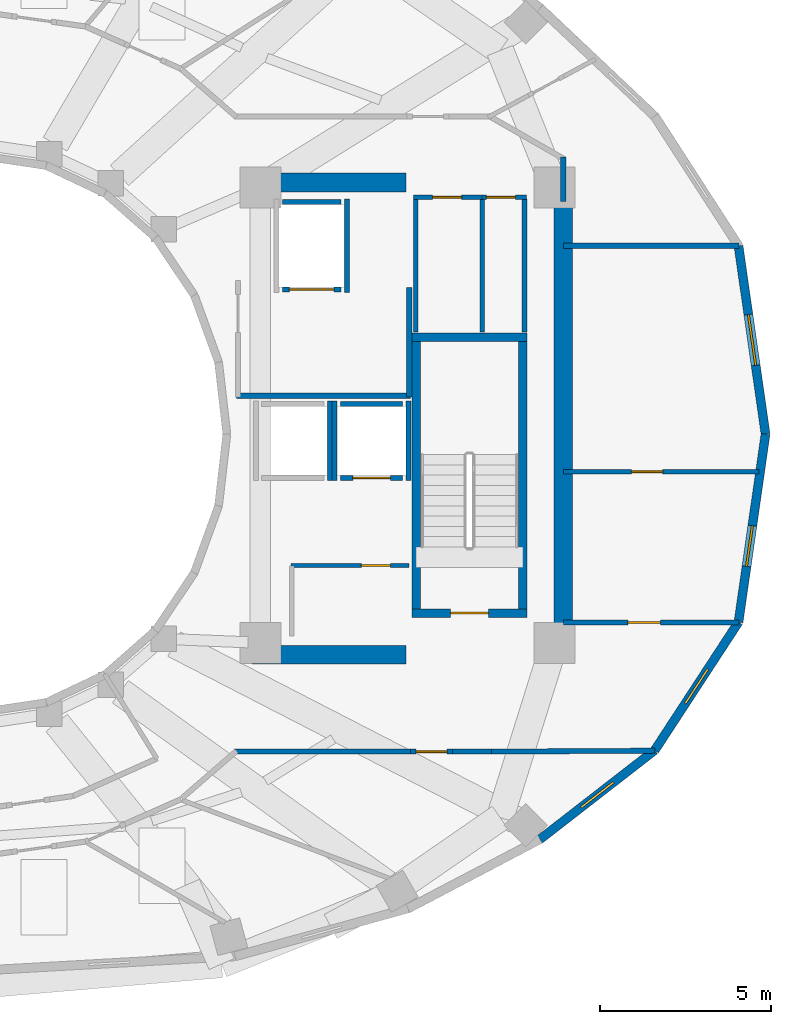
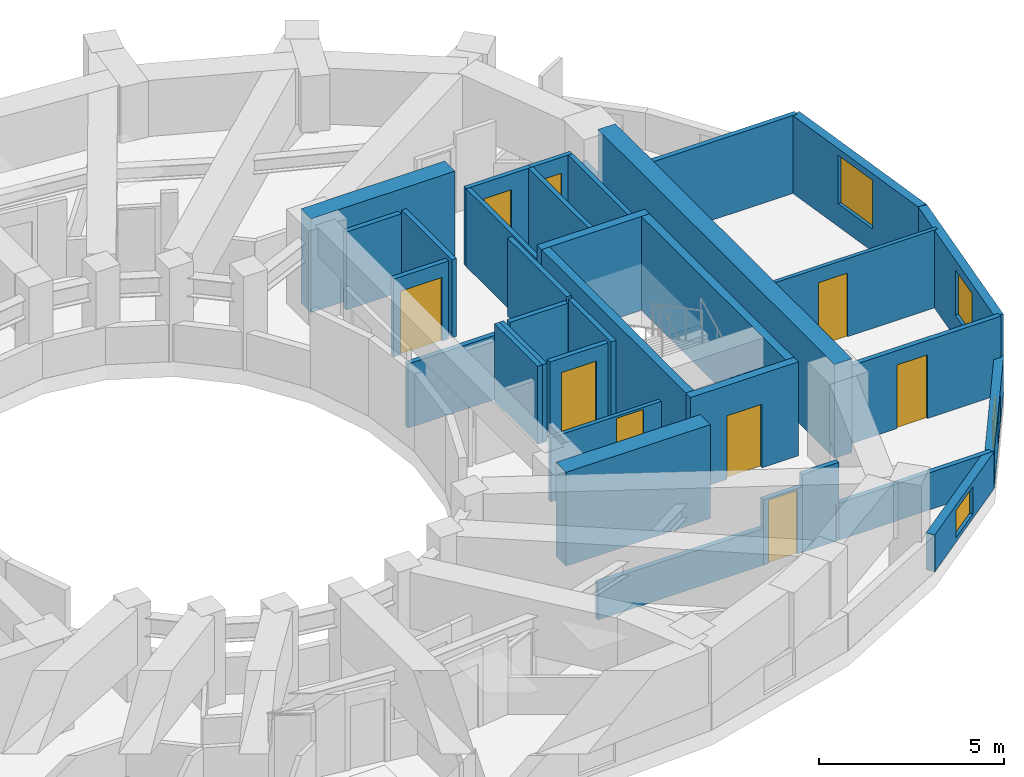
# One storey, part 6 of 9: 35 walls, 9 doors, 4 windows, 13 openings.
"""IFC4 building model written with IfcOpenShell, lengths in metres."""

from ifc_helpers import new_model, si_unit, direction, frame, frame_2d, origin, place, context, subcontext, project, spatial, rectangle, extrude, material, layer, layer_set, type_object, element, fill, save


model = new_model("IFC4")

# Units and contexts
model_context = context("Model", 3, precision=1e-05, world=origin(), true_north=direction((0.0, 1.0)))
body_context = subcontext(model_context, "Body", "Model", "MODEL_VIEW")
ifc_project = project(units=[si_unit("LENGTHUNIT", "METRE"), si_unit("AREAUNIT", "SQUARE_METRE"), si_unit("VOLUMEUNIT", "CUBIC_METRE"), si_unit("PLANEANGLEUNIT", "RADIAN"), si_unit("MASSUNIT", "GRAM", prefix="KILO")], contexts=[model_context])

# Site, building, storey
site_placement = place(None, origin())
site = spatial("IfcSite", under=ifc_project, at=site_placement, CompositionType="ELEMENT")
building_placement = place(site_placement, origin())
building = spatial("IfcBuilding", under=site, at=building_placement, Name="Solvane Sanctuary Tower", CompositionType="ELEMENT")
storey_placement = place(building_placement, frame((0.0, 0.0, 190.10009765625)))
storey = spatial("IfcBuildingStorey", under=building, at=storey_placement, Name="L58", CompositionType="ELEMENT", Elevation=190.10009765625)

# Walls
ifc_material_1 = material(Name="Concrete C50/60", Category="concrete")
ifc_layer_1 = layer(ifc_material_1, 0.550048828125, Name="Concrete C50/60")
ifc_layer_set_1 = layer_set([ifc_layer_1], Name="Concrete C50/60")
wall_type_1 = type_object("IfcWallType", Name="Wall W-CORE-550", PredefinedType="SHEAR", material=ifc_layer_set_1)
wall_1_placement = place(storey_placement, frame((48.949951171875, 17.050048828125, 0.0), z_axis=(0.0, 0.0, 1.0), x_axis=(0.0, 1.0, 0.0)))
element("IfcWall", 1, at=wall_1_placement, inside=storey, type_object=wall_type_1, Name="L58 Core Shear Wall EC-E", PredefinedType="SHEAR", context=body_context, shape_type="SweptSolid", body=[
    extrude(rectangle(XDim=12.800048828125, YDim=0.550048828125, at=frame_2d((6.39990234375, 0.0))), origin(), (0.0, 0.0, 1.0), 3.099853515625),
])
for number, where, z_axis, x_axis, name in (
    (2, (39.85009765625, 16.550048828125, 0.0), (0.0, 0.0, 1.0), (1.0, 0.0, 0.0), "L58 Core Shear Wall EC-S"),
    (3, (39.85009765625, 30.35009765625, 0.0), (0.0, 0.0, 1.0), (1.0, 0.0, 0.0), "L58 Core Shear Wall EC-N"),
):
    element("IfcWall", number, at=place(storey_placement, frame(where, z_axis=z_axis, x_axis=x_axis)), inside=storey, type_object=wall_type_1, Name=name, PredefinedType="SHEAR", context=body_context, shape_type="SweptSolid", body=[
        extrude(rectangle(XDim=4.5, YDim=0.550048828125, at=frame_2d((2.25, 0.0))), origin(), (0.0, 0.0, 1.0), 3.099853515625),
    ])
ifc_material_2 = material(Name="Acoustic Gypsum Partition Board")
ifc_layer_2 = layer(ifc_material_2, 0.14990234375, Name="Acoustic Gypsum Partition Board")
ifc_layer_set_2 = layer_set([ifc_layer_2], Name="Acoustic Gypsum Partition Board")
wall_type_2 = type_object("IfcWallType", Name="Wall W-CORR-150", PredefinedType="PARTITIONING", material=ifc_layer_set_2)
wall_2_placement = place(storey_placement, frame((39.39990234375, 24.1201171875, 0.0), z_axis=(0.0, 0.0, 1.0), x_axis=(1.0, 0.0, 0.0)))
element("IfcWall", 4, at=wall_2_placement, inside=storey, type_object=wall_type_2, Name="L58 East Firefighting Lobby South Wall", PredefinedType="PARTITIONING", context=body_context, shape_type="SweptSolid", body=[
    extrude(rectangle(XDim=5.080078125, YDim=0.14990234375, at=frame_2d((2.5400390625, 0.0))), origin(), (0.0, 0.0, 1.0), 2.119873046875),
])
wall_3_placement = place(storey_placement, frame((44.449951171875, 24.080078125, 0.0), z_axis=(0.0, 0.0, 1.0), x_axis=(0.0, 1.0, 0.0)))
element("IfcWall", 5, at=wall_3_placement, inside=storey, type_object=wall_type_2, Name="L58 East Firefighting Lobby East Wall", PredefinedType="PARTITIONING", context=body_context, shape_type="SweptSolid", body=[
    extrude(rectangle(XDim=3.199951171875, YDim=0.14990234375, at=frame_2d((1.60009765625, 0.0))), origin(), (0.0, 0.0, 1.0), 2.574951171875),
])

# Wall, opening, door
wall_4_placement = place(storey_placement, frame((48.949951171875, 17.4970703125, 0.0), z_axis=(0.0, 0.0, 1.0), x_axis=(1.0, 0.0, 0.0)))
wall_4 = element("IfcWall", 6, at=wall_4_placement, inside=storey, type_object=wall_type_2, Name="L58 East Shoulder South Wall", PredefinedType="PARTITIONING", context=body_context, shape_type="SweptSolid", body=[
    extrude(rectangle(XDim=5.14013671875, YDim=0.14990234375, at=frame_2d((2.570068359375, 0.0))), origin(), (0.0, 0.0, 1.0), 2.574951171875),
])
opening_1_placement = place(wall_4_placement, frame((1.888671875, 0.0, 0.0)))
opening_1 = element("IfcOpeningElement", 7, at=opening_1_placement, cuts=wall_4, Name="Opening D-L58-12", PredefinedType="OPENING", context=body_context, shape_type="SweptSolid", body=[
    extrude(rectangle(XDim=0.949951171875, YDim=2.10009765625, at=frame_2d((0.47509765625, 1.050048828125))), frame((0.0, 0.0849609375, 0.0), z_axis=(0.0, -1.0, 0.0), x_axis=(1.0, 0.0, 0.0)), (0.0, 0.0, 1.0), 0.169921875),
])
ifc_material_3 = material(Name="Engineered Tropical Hardwood", Category="wood")
door_type_1 = type_object("IfcDoorType", Name="Door D-ROOM-950", OperationType="NOTDEFINED", PredefinedType="DOOR", material=ifc_material_3)
door_1_placement = place(opening_1_placement, origin())
door_1 = element("IfcDoor", 8, at=door_1_placement, inside=storey, type_object=door_type_1, Name="L58 East Shoulder South Door", OperationType="SINGLE_SWING_LEFT", OverallHeight=2.10009765625, OverallWidth=0.949951171875, PredefinedType="DOOR", context=body_context, shape_type="SweptSolid", body=[
    extrude(rectangle(XDim=0.949951171875, YDim=2.10009765625, at=frame_2d((0.47509765625, 1.050048828125))), frame((0.0, 0.02490234375, 0.0), z_axis=(0.0, -1.0, 0.0), x_axis=(1.0, 0.0, 0.0)), (0.0, 0.0, 1.0), 0.050048828125),
])
fill(opening_1, door_1)

# Walls
wall_5_placement = place(storey_placement, frame((48.949951171875, 28.5029296875, 0.0), z_axis=(0.0, 0.0, 1.0), x_axis=(1.0, 0.0, 0.0)))
element("IfcWall", 9, at=wall_5_placement, inside=storey, type_object=wall_type_2, Name="L58 East Shoulder North Wall", PredefinedType="PARTITIONING", context=body_context, shape_type="SweptSolid", body=[
    extrude(rectangle(XDim=5.14013671875, YDim=0.14990234375, at=frame_2d((2.570068359375, 0.0))), origin(), (0.0, 0.0, 1.0), 2.574951171875),
])
wall_6_placement = place(storey_placement, frame((48.949951171875, 29.800048828125, 0.0), z_axis=(0.0, 0.0, 1.0), x_axis=(0.0, 1.0, 0.0)))
element("IfcWall", 10, at=wall_6_placement, inside=storey, type_object=wall_type_2, Name="L58 NE Corner Closer 1", PredefinedType="PARTITIONING", context=body_context, shape_type="SweptSolid", body=[
    extrude(rectangle(XDim=1.2900390625, YDim=0.14990234375, at=frame_2d((0.64501953125, 0.0))), origin(), (0.0, 0.0, 1.0), 1.219970703125),
])
wall_7_placement = place(storey_placement, frame((39.330078125, 13.719970703125, 0.0), z_axis=(0.0, 0.0, 1.0), x_axis=(1.0, 0.0, 0.0)))
element("IfcWall", 11, at=wall_7_placement, inside=storey, type_object=wall_type_2, Name="L58 SE Corner Corridor Wall", PredefinedType="PARTITIONING", context=body_context, shape_type="SweptSolid", body=[
    extrude(rectangle(XDim=5.158447265625, YDim=0.14990234375, at=frame_2d((2.5791015625, 0.0))), origin(), (0.0, 0.0, 1.0), 1.219970703125),
])

# Wall, opening, door
wall_8_placement = place(storey_placement, frame((44.488525390625, 13.719970703125, 0.0), z_axis=(0.0, 0.0, 1.0), x_axis=(1.0, 0.0, 0.0)))
wall_8 = element("IfcWall", 12, at=wall_8_placement, inside=storey, type_object=wall_type_2, Name="L58 SE Corner Corridor Wall", PredefinedType="PARTITIONING", context=body_context, shape_type="SweptSolid", body=[
    extrude(rectangle(XDim=1.219970703125, YDim=0.14990234375, at=frame_2d((0.60986328125, 0.0))), origin(), (0.0, 0.0, 1.0), 2.159912109375),
])
opening_2_placement = place(wall_8_placement, frame((0.159912109375, 0.0, 0.0)))
opening_2 = element("IfcOpeningElement", 13, at=opening_2_placement, cuts=wall_8, Name="Opening D-L58-21", PredefinedType="OPENING", context=body_context, shape_type="SweptSolid", body=[
    extrude(rectangle(XDim=0.89990234375, YDim=2.10009765625, at=frame_2d((0.449951171875, 1.050048828125))), frame((0.0, 0.0849609375, 0.0), z_axis=(0.0, -1.0, 0.0), x_axis=(1.0, 0.0, 0.0)), (0.0, 0.0, 1.0), 0.169921875),
])
door_type_2 = type_object("IfcDoorType", Name="Door D-WET-900", OperationType="NOTDEFINED", PredefinedType="DOOR", material=ifc_material_3)
door_2_placement = place(opening_2_placement, origin())
door_2 = element("IfcDoor", 14, at=door_2_placement, inside=storey, type_object=door_type_2, Name="L58 SE Corner Salon Door", OperationType="SINGLE_SWING_RIGHT", OverallHeight=2.10009765625, OverallWidth=0.89990234375, PredefinedType="DOOR", context=body_context, shape_type="SweptSolid", body=[
    extrude(rectangle(XDim=0.89990234375, YDim=2.10009765625, at=frame_2d((0.449951171875, 1.050048828125))), frame((0.0, 0.02490234375, 0.0), z_axis=(0.0, -1.0, 0.0), x_axis=(1.0, 0.0, 0.0)), (0.0, 0.0, 1.0), 0.050048828125),
])
fill(opening_2, door_2)

# Walls
wall_9_placement = place(storey_placement, frame((45.70849609375, 13.719970703125, 0.0), z_axis=(0.0, 0.0, 1.0), x_axis=(1.0, 0.0, 0.0)))
element("IfcWall", 15, at=wall_9_placement, inside=storey, type_object=wall_type_2, Name="L58 SE Corner Corridor Wall", PredefinedType="PARTITIONING", context=body_context, shape_type="SweptSolid", body=[
    extrude(rectangle(XDim=1.1416015625, YDim=0.14990234375, at=frame_2d((0.57080078125, 0.0))), origin(), (0.0, 0.0, 1.0), 2.574951171875),
])
wall_10_placement = place(storey_placement, frame((46.75, 13.7197265625, 0.0), z_axis=(0.0, 0.0, 1.0), x_axis=(0.999981712056, 0.006047772638, 0.0)))
element("IfcWall", 16, at=wall_10_placement, inside=storey, type_object=wall_type_2, Name="L58 SE Corner Wing Wall", PredefinedType="PARTITIONING", context=body_context, shape_type="SweptSolid", body=[
    extrude(rectangle(XDim=4.884521484375, YDim=0.14990234375, at=frame_2d((2.4423828125, 0.0))), origin(), (0.0, 0.0, 1.0), 1.219970703125),
])

# Wall, opening, window
ifc_material_4 = material(Name="Precast concrete C40/50", Category="concrete")
ifc_layer_3 = layer(ifc_material_4, 0.260009765625, Name="Precast concrete C40/50")
ifc_layer_set_3 = layer_set([ifc_layer_3], Name="Precast concrete C40/50")
wall_type_3 = type_object("IfcWallType", Name="Wall W-EXT-250", PredefinedType="STANDARD", material=ifc_layer_set_3)
wall_11_placement = place(storey_placement, frame((54.860107421875, 23.0, 0.0), z_axis=(0.0, 0.0, 1.0), x_axis=(-0.142227632286, 0.989833976288, 0.0)))
wall_11 = element("IfcWall", 17, at=wall_11_placement, inside=storey, type_object=wall_type_3, Name="L58 Ceramic-Printed Facade Wall 00", PredefinedType="STANDARD", context=body_context, shape_type="SweptSolid", body=[
    extrude(rectangle(XDim=5.552978515625, YDim=0.260009765625, at=frame_2d((2.7763671875, 0.0))), origin(), (0.0, 0.0, 1.0), 2.56982421875),
])
opening_3_placement = place(wall_11_placement, frame((2.026611328125, 0.0, 0.75)))
opening_3 = element("IfcOpeningElement", 18, at=opening_3_placement, cuts=wall_11, Name="Opening WN-OPER-1500", PredefinedType="OPENING", context=body_context, shape_type="SweptSolid", body=[
    extrude(rectangle(XDim=1.5, YDim=1.60009765625, at=frame_2d((0.75, 0.800048828125))), frame((0.0, 0.139892578125, 0.0), z_axis=(0.0, -1.0, 0.0), x_axis=(1.0, 0.0, 0.0)), (0.0, 0.0, 1.0), 0.280029296875),
])
ifc_material_5 = material(Name="Dark Ceramic-Fritted Low-E Glass", Category="glass")
window_type_1 = type_object("IfcWindowType", Name="Window WN-OPER-1500", PartitioningType="SINGLE_PANEL", PredefinedType="WINDOW", material=ifc_material_5)
window_1_placement = place(opening_3_placement, origin())
window_1 = element("IfcWindow", 19, at=window_1_placement, inside=storey, type_object=window_type_1, Name="L58 Operable Facade Window 00", OverallHeight=1.60009765625, OverallWidth=1.5, PartitioningType="SINGLE_PANEL", PredefinedType="WINDOW", context=body_context, shape_type="SweptSolid", body=[
    extrude(rectangle(XDim=1.5, YDim=1.60009765625, at=frame_2d((0.75, 0.800048828125))), frame((0.0, 0.030029296875, 0.0), z_axis=(0.0, -1.0, 0.0), x_axis=(1.0, 0.0, 0.0)), (0.0, 0.0, 1.0), 0.06005859375),
])
fill(opening_3, window_1)

wall_12_placement = place(storey_placement, frame((48.269287109375, 11.158447265625, 0.0), z_axis=(0.0, 0.0, 1.0), x_axis=(0.790185650662, 0.612867552973, 0.0)))
wall_12 = element("IfcWall", 20, at=wall_12_placement, inside=storey, type_object=wall_type_3, Name="L58 Ceramic-Printed Facade Wall 21", PredefinedType="STANDARD", context=body_context, shape_type="SweptSolid", body=[
    extrude(rectangle(XDim=4.2392578125, YDim=0.260009765625, at=frame_2d((2.11962890625, 0.0))), origin(), (0.0, 0.0, 1.0), 1.219970703125),
])
opening_4_placement = place(wall_12_placement, frame((1.51953125, 0.0, 0.14990234375)))
opening_4 = element("IfcOpeningElement", 21, at=opening_4_placement, cuts=wall_12, Name="Opening WN-OPER-1200", PredefinedType="OPENING", context=body_context, shape_type="SweptSolid", body=[
    extrude(rectangle(XDim=1.199951171875, YDim=0.89990234375, at=frame_2d((0.60009765625, 0.449951171875))), frame((0.0, 0.139892578125, 0.0), z_axis=(0.0, -1.0, 0.0), x_axis=(1.0, 0.0, 0.0)), (0.0, 0.0, 1.0), 0.280029296875),
])
window_type_2 = type_object("IfcWindowType", Name="Window WN-OPER-1200", PartitioningType="SINGLE_PANEL", PredefinedType="WINDOW", material=ifc_material_5)
window_2_placement = place(opening_4_placement, origin())
window_2 = element("IfcWindow", 22, at=window_2_placement, inside=storey, type_object=window_type_2, Name="L58 Operable Facade Window 21", OverallHeight=0.89990234375, OverallWidth=1.199951171875, PartitioningType="SINGLE_PANEL", PredefinedType="WINDOW", context=body_context, shape_type="SweptSolid", body=[
    extrude(rectangle(XDim=1.199951171875, YDim=0.89990234375, at=frame_2d((0.60009765625, 0.449951171875))), frame((0.0, 0.030029296875, 0.0), z_axis=(0.0, -1.0, 0.0), x_axis=(1.0, 0.0, 0.0)), (0.0, 0.0, 1.0), 0.06005859375),
])
fill(opening_4, window_2)

wall_13_placement = place(storey_placement, frame((51.619140625, 13.756591796875, 0.0), z_axis=(0.0, 0.0, 1.0), x_axis=(0.547456494366, 0.836834145322, 0.0)))
wall_13 = element("IfcWall", 23, at=wall_13_placement, inside=storey, type_object=wall_type_3, Name="L58 Ceramic-Printed Facade Wall 22", PredefinedType="STANDARD", context=body_context, shape_type="SweptSolid", body=[
    extrude(rectangle(XDim=4.477294921875, YDim=0.260009765625, at=frame_2d((2.23876953125, 0.0))), origin(), (0.0, 0.0, 1.0), 1.219970703125),
])
opening_5_placement = place(wall_13_placement, frame((1.638671875, 0.0, 0.14990234375)))
opening_5 = element("IfcOpeningElement", 24, at=opening_5_placement, cuts=wall_13, Name="Opening WN-OPER-1200", PredefinedType="OPENING", context=body_context, shape_type="SweptSolid", body=[
    extrude(rectangle(XDim=1.199951171875, YDim=0.89990234375, at=frame_2d((0.60009765625, 0.449951171875))), frame((0.0, 0.139892578125, 0.0), z_axis=(0.0, -1.0, 0.0), x_axis=(1.0, 0.0, 0.0)), (0.0, 0.0, 1.0), 0.280029296875),
])
window_3_placement = place(opening_5_placement, origin())
window_3 = element("IfcWindow", 25, at=window_3_placement, inside=storey, type_object=window_type_2, Name="L58 Operable Facade Window 22", OverallHeight=0.89990234375, OverallWidth=1.199951171875, PartitioningType="SINGLE_PANEL", PredefinedType="WINDOW", context=body_context, shape_type="SweptSolid", body=[
    extrude(rectangle(XDim=1.199951171875, YDim=0.89990234375, at=frame_2d((0.60009765625, 0.449951171875))), frame((0.0, 0.030029296875, 0.0), z_axis=(0.0, -1.0, 0.0), x_axis=(1.0, 0.0, 0.0)), (0.0, 0.0, 1.0), 0.06005859375),
])
fill(opening_5, window_3)

wall_14_placement = place(storey_placement, frame((54.0703125, 17.50341796875, 0.0), z_axis=(0.0, 0.0, 1.0), x_axis=(0.142227632286, 0.989833976288, 0.0)))
wall_14 = element("IfcWall", 26, at=wall_14_placement, inside=storey, type_object=wall_type_3, Name="L58 Ceramic-Printed Facade Wall 23", PredefinedType="STANDARD", context=body_context, shape_type="SweptSolid", body=[
    extrude(rectangle(XDim=5.552978515625, YDim=0.260009765625, at=frame_2d((2.7763671875, 0.0))), origin(), (0.0, 0.0, 1.0), 2.56982421875),
])
opening_6_placement = place(wall_14_placement, frame((1.645751953125, 0.0, 0.75)))
opening_6 = element("IfcOpeningElement", 27, at=opening_6_placement, cuts=wall_14, Name="Opening WN-OPER-1200", PredefinedType="OPENING", context=body_context, shape_type="SweptSolid", body=[
    extrude(rectangle(XDim=1.199951171875, YDim=1.5, at=frame_2d((0.60009765625, 0.75))), frame((0.0, 0.139892578125, 0.0), z_axis=(0.0, -1.0, 0.0), x_axis=(1.0, 0.0, 0.0)), (0.0, 0.0, 1.0), 0.280029296875),
])
window_4_placement = place(opening_6_placement, origin())
window_4 = element("IfcWindow", 28, at=window_4_placement, inside=storey, type_object=window_type_2, Name="L58 Operable Facade Window 23", OverallHeight=1.5, OverallWidth=1.199951171875, PartitioningType="SINGLE_PANEL", PredefinedType="WINDOW", context=body_context, shape_type="SweptSolid", body=[
    extrude(rectangle(XDim=1.199951171875, YDim=1.5, at=frame_2d((0.60009765625, 0.75))), frame((0.0, 0.030029296875, 0.0), z_axis=(0.0, -1.0, 0.0), x_axis=(1.0, 0.0, 0.0)), (0.0, 0.0, 1.0), 0.06005859375),
])
fill(opening_6, window_4)

# Wall, opening, door
ifc_layer_4 = layer(ifc_material_2, 0.1201171875, Name="Acoustic Gypsum Partition Board")
ifc_layer_set_4 = layer_set([ifc_layer_4], Name="Acoustic Gypsum Partition Board")
wall_type_4 = type_object("IfcWallType", Name="Wall W-MOV-100", PredefinedType="MOVABLE", material=ifc_layer_set_4)
wall_15_placement = place(storey_placement, frame((48.949951171875, 21.89990234375, 0.0), z_axis=(0.0, 0.0, 1.0), x_axis=(1.0, 0.0, 0.0)))
wall_15 = element("IfcWall", 29, at=wall_15_placement, inside=storey, type_object=wall_type_4, Name="L58 East Suite Partition", PredefinedType="MOVABLE", context=body_context, shape_type="SweptSolid", body=[
    extrude(rectangle(XDim=5.712158203125, YDim=0.1201171875, at=frame_2d((2.85595703125, 0.0))), origin(), (0.0, 0.0, 1.0), 2.574951171875),
])
opening_7_placement = place(wall_15_placement, frame((2.0, 0.0, 0.0)))
opening_7 = element("IfcOpeningElement", 30, at=opening_7_placement, cuts=wall_15, Name="Opening D-L58-13", PredefinedType="OPENING", context=body_context, shape_type="SweptSolid", body=[
    extrude(rectangle(XDim=0.89990234375, YDim=2.10009765625, at=frame_2d((0.449951171875, 1.050048828125))), frame((0.0, 0.070068359375, 0.0), z_axis=(0.0, -1.0, 0.0), x_axis=(1.0, 0.0, 0.0)), (0.0, 0.0, 1.0), 0.14013671875),
])
door_3_placement = place(opening_7_placement, origin())
door_3 = element("IfcDoor", 31, at=door_3_placement, inside=storey, type_object=door_type_2, Name="L58 East Suite Internal Door", OperationType="SINGLE_SWING_RIGHT", OverallHeight=2.10009765625, OverallWidth=0.89990234375, PredefinedType="DOOR", context=body_context, shape_type="SweptSolid", body=[
    extrude(rectangle(XDim=0.89990234375, YDim=2.10009765625, at=frame_2d((0.449951171875, 1.050048828125))), frame((0.0, 0.02490234375, 0.0), z_axis=(0.0, -1.0, 0.0), x_axis=(1.0, 0.0, 0.0)), (0.0, 0.0, 1.0), 0.050048828125),
])
fill(opening_7, door_3)

ifc_layer_5 = layer(ifc_material_2, 0.125, Name="Acoustic Gypsum Partition Board")
ifc_layer_set_5 = layer_set([ifc_layer_5], Name="Acoustic Gypsum Partition Board")
wall_type_5 = type_object("IfcWallType", Name="Wall W-PART-125", PredefinedType="PARTITIONING", material=ifc_layer_set_5)
wall_16_placement = place(storey_placement, frame((41.0, 19.159912109375, 0.0), z_axis=(0.0, 0.0, 1.0), x_axis=(1.0, 0.0, 0.0)))
wall_16 = element("IfcWall", 32, at=wall_16_placement, inside=storey, type_object=wall_type_5, Name="L58 Reclaimed Room Partition PLE", PredefinedType="PARTITIONING", context=body_context, shape_type="SweptSolid", body=[
    extrude(rectangle(XDim=3.449951171875, YDim=0.125, at=frame_2d((1.72509765625, 0.0))), origin(), (0.0, 0.0, 1.0), 2.119873046875),
])
opening_8_placement = place(wall_16_placement, frame((2.050048828125, 0.0, 0.0)))
opening_8 = element("IfcOpeningElement", 33, at=opening_8_placement, cuts=wall_16, Name="Opening D-L58-07", PredefinedType="OPENING", context=body_context, shape_type="SweptSolid", body=[
    extrude(rectangle(XDim=0.85009765625, YDim=2.050048828125, at=frame_2d((0.425048828125, 1.02490234375))), frame((0.0, 0.072509765625, 0.0), z_axis=(0.0, -1.0, 0.0), x_axis=(1.0, 0.0, 0.0)), (0.0, 0.0, 1.0), 0.14501953125),
])
ifc_material_6 = material(Name="Architectural Stainless Steel 316", Category="steel")
door_type_3 = type_object("IfcDoorType", Name="Door D-RISER", OperationType="NOTDEFINED", PredefinedType="DOOR", material=ifc_material_6)
door_4_placement = place(opening_8_placement, origin())
door_4 = element("IfcDoor", 34, at=door_4_placement, inside=storey, type_object=door_type_3, Name="L58 Reclaimed Room Door PLE-1", OperationType="SINGLE_SWING_RIGHT", OverallHeight=2.050048828125, OverallWidth=0.85009765625, PredefinedType="DOOR", context=body_context, shape_type="SweptSolid", body=[
    extrude(rectangle(XDim=0.85009765625, YDim=2.050048828125, at=frame_2d((0.425048828125, 1.02490234375))), frame((0.0, 0.02490234375, 0.0), z_axis=(0.0, -1.0, 0.0), x_axis=(1.0, 0.0, 0.0)), (0.0, 0.0, 1.0), 0.050048828125),
])
fill(opening_8, door_4)

ifc_layer_6 = layer(ifc_material_1, 0.14990234375, Name="Concrete C50/60")
ifc_layer_set_6 = layer_set([ifc_layer_6], Name="Concrete C50/60")
wall_type_6 = type_object("IfcWallType", Name="Wall W-SHAFT-150", PredefinedType="SOLIDWALL", material=ifc_layer_set_6)
wall_17_placement = place(storey_placement, frame((42.43994140625, 21.719970703125, 0.0), z_axis=(0.0, 0.0, 1.0), x_axis=(1.0, 0.0, 0.0)))
wall_17 = element("IfcWall", 35, at=wall_17_placement, inside=storey, type_object=wall_type_6, Name="L58 PM-2 Lift Shaft Wall F", PredefinedType="SOLIDWALL", context=body_context, shape_type="SweptSolid", body=[
    extrude(rectangle(XDim=1.820068359375, YDim=0.14990234375, at=frame_2d((0.91015625, 0.0))), origin(), (0.0, 0.0, 1.0), 2.574951171875),
])
opening_9_placement = place(wall_17_placement, frame((0.360107421875, 0.0, 0.0)))
opening_9 = element("IfcOpeningElement", 36, at=opening_9_placement, cuts=wall_17, Name="Opening LD-L58-02", PredefinedType="OPENING", context=body_context, shape_type="SweptSolid", body=[
    extrude(rectangle(XDim=1.10009765625, YDim=2.10009765625, at=frame_2d((0.550048828125, 1.050048828125))), frame((0.0, 0.0849609375, 0.0), z_axis=(0.0, -1.0, 0.0), x_axis=(1.0, 0.0, 0.0)), (0.0, 0.0, 1.0), 0.169921875),
])
door_type_4 = type_object("IfcDoorType", Name="Door LD-PASS-1100", OperationType="NOTDEFINED", PredefinedType="DOOR", material=ifc_material_6)
door_5_placement = place(opening_9_placement, origin())
door_5 = element("IfcDoor", 37, at=door_5_placement, inside=storey, type_object=door_type_4, Name="L58 PM-2 Lift Landing Door", OperationType="DOUBLE_DOOR_SLIDING", OverallHeight=2.10009765625, OverallWidth=1.10009765625, PredefinedType="DOOR", context=body_context, shape_type="SweptSolid", body=[
    extrude(rectangle(XDim=1.10009765625, YDim=2.10009765625, at=frame_2d((0.550048828125, 1.050048828125))), frame((0.0, 0.02490234375, 0.0), z_axis=(0.0, -1.0, 0.0), x_axis=(1.0, 0.0, 0.0)), (0.0, 0.0, 1.0), 0.050048828125),
])
fill(opening_9, door_5)

# Walls
wall_18_placement = place(storey_placement, frame((42.43994140625, 23.8798828125, 0.0), z_axis=(0.0, 0.0, 1.0), x_axis=(1.0, 0.0, 0.0)))
element("IfcWall", 38, at=wall_18_placement, inside=storey, type_object=wall_type_6, Name="L58 PM-2 Lift Shaft Wall B", PredefinedType="SOLIDWALL", context=body_context, shape_type="SweptSolid", body=[
    extrude(rectangle(XDim=1.820068359375, YDim=0.14990234375, at=frame_2d((0.91015625, 0.0))), origin(), (0.0, 0.0, 1.0), 2.574951171875),
])
for number, where, z_axis, x_axis, name in (
    (39, (42.27001953125, 21.639892578125, 0.0), (0.0, 0.0, 1.0), (0.0, 1.0, 0.0), "L58 PM-2 Lift Shaft Wall S1"),
    (40, (44.429931640625, 21.639892578125, 0.0), (0.0, 0.0, 1.0), (0.0, 1.0, 0.0), "L58 PM-2 Lift Shaft Wall S2"),
    (41, (42.1298828125, 21.639892578125, 0.0), (0.0, 0.0, 1.0), (0.0, 1.0, 0.0), "L58 PH-2 Lift Shaft Wall S2"),
):
    element("IfcWall", number, at=place(storey_placement, frame(where, z_axis=z_axis, x_axis=x_axis)), inside=storey, type_object=wall_type_6, Name=name, PredefinedType="SOLIDWALL", context=body_context, shape_type="SweptSolid", body=[
        extrude(rectangle(XDim=2.320068359375, YDim=0.14990234375, at=frame_2d((1.16015625, 0.0))), origin(), (0.0, 0.0, 1.0), 2.574951171875),
    ])

# Wall, opening, door
wall_19_placement = place(storey_placement, frame((40.739990234375, 27.219970703125, 0.0), z_axis=(0.0, 0.0, 1.0), x_axis=(1.0, 0.0, 0.0)))
wall_19 = element("IfcWall", 42, at=wall_19_placement, inside=storey, type_object=wall_type_6, Name="L58 FFL-2 Lift Shaft Wall F", PredefinedType="SOLIDWALL", context=body_context, shape_type="SweptSolid", body=[
    extrude(rectangle(XDim=1.719970703125, YDim=0.14990234375, at=frame_2d((0.85986328125, 0.0))), origin(), (0.0, 0.0, 1.0), 2.574951171875),
])
opening_10_placement = place(wall_19_placement, frame((0.2099609375, 0.0, 0.0)))
opening_10 = element("IfcOpeningElement", 43, at=opening_10_placement, cuts=wall_19, Name="Opening LD-L58-05", PredefinedType="OPENING", context=body_context, shape_type="SweptSolid", body=[
    extrude(rectangle(XDim=1.300048828125, YDim=2.10009765625, at=frame_2d((0.64990234375, 1.050048828125))), frame((0.0, 0.0849609375, 0.0), z_axis=(0.0, -1.0, 0.0), x_axis=(1.0, 0.0, 0.0)), (0.0, 0.0, 1.0), 0.169921875),
])
door_type_5 = type_object("IfcDoorType", Name="Door LD-FFL-1300", OperationType="NOTDEFINED", PredefinedType="DOOR", material=ifc_material_6)
door_6_placement = place(opening_10_placement, origin())
door_6 = element("IfcDoor", 44, at=door_6_placement, inside=storey, type_object=door_type_5, Name="L58 FFL-2 Lift Landing Door", OperationType="DOUBLE_DOOR_SLIDING", OverallHeight=2.10009765625, OverallWidth=1.300048828125, PredefinedType="DOOR", context=body_context, shape_type="SweptSolid", body=[
    extrude(rectangle(XDim=1.300048828125, YDim=2.10009765625, at=frame_2d((0.64990234375, 1.050048828125))), frame((0.0, 0.02490234375, 0.0), z_axis=(0.0, -1.0, 0.0), x_axis=(1.0, 0.0, 0.0)), (0.0, 0.0, 1.0), 0.050048828125),
])
fill(opening_10, door_6)

# Walls
wall_20_placement = place(storey_placement, frame((40.739990234375, 29.780029296875, 0.0), z_axis=(0.0, 0.0, 1.0), x_axis=(1.0, 0.0, 0.0)))
element("IfcWall", 45, at=wall_20_placement, inside=storey, type_object=wall_type_6, Name="L58 FFL-2 Lift Shaft Wall B", PredefinedType="SOLIDWALL", context=body_context, shape_type="SweptSolid", body=[
    extrude(rectangle(XDim=1.719970703125, YDim=0.14990234375, at=frame_2d((0.85986328125, 0.0))), origin(), (0.0, 0.0, 1.0), 2.574951171875),
])
wall_21_placement = place(storey_placement, frame((42.6298828125, 27.139892578125, 0.0), z_axis=(0.0, 0.0, 1.0), x_axis=(0.0, 1.0, 0.0)))
element("IfcWall", 46, at=wall_21_placement, inside=storey, type_object=wall_type_6, Name="L58 FFL-2 Lift Shaft Wall S2", PredefinedType="SOLIDWALL", context=body_context, shape_type="SweptSolid", body=[
    extrude(rectangle(XDim=2.72021484375, YDim=0.14990234375, at=frame_2d((1.360107421875, 0.0))), origin(), (0.0, 0.0, 1.0), 2.574951171875),
])

# Wall, opening, door
ifc_layer_7 = layer(ifc_material_1, 0.25, Name="Concrete C50/60")
ifc_layer_set_7 = layer_set([ifc_layer_7], Name="Concrete C50/60")
wall_type_7 = type_object("IfcWallType", Name="Wall W-SHAFT-250", PredefinedType="SOLIDWALL", material=ifc_layer_set_7)
wall_22_placement = place(storey_placement, frame((44.52490234375, 17.77001953125, 0.0), z_axis=(0.0, 0.0, 1.0), x_axis=(1.0, 0.0, 0.0)))
wall_22 = element("IfcWall", 47, at=wall_22_placement, inside=storey, type_object=wall_type_7, Name="L58 ST-2 Load-Bearing Shaft Wall S", PredefinedType="SOLIDWALL", context=body_context, shape_type="SweptSolid", body=[
    extrude(rectangle(XDim=3.3701171875, YDim=0.25, at=frame_2d((1.68505859375, 0.0))), origin(), (0.0, 0.0, 1.0), 3.099853515625),
])
opening_11_placement = place(wall_22_placement, frame((1.135009765625, 0.0, 0.0)))
opening_11 = element("IfcOpeningElement", 48, at=opening_11_placement, cuts=wall_22, Name="Opening D-L58-02", PredefinedType="OPENING", context=body_context, shape_type="SweptSolid", body=[
    extrude(rectangle(XDim=1.10009765625, YDim=2.10009765625, at=frame_2d((0.550048828125, 1.050048828125))), frame((0.0, 0.135009765625, 0.0), z_axis=(0.0, -1.0, 0.0), x_axis=(1.0, 0.0, 0.0)), (0.0, 0.0, 1.0), 0.27001953125),
])
door_type_6 = type_object("IfcDoorType", Name="Door D-STAIR", OperationType="NOTDEFINED", PredefinedType="DOOR", material=ifc_material_6)
door_7_placement = place(opening_11_placement, origin())
door_7 = element("IfcDoor", 49, at=door_7_placement, inside=storey, type_object=door_type_6, Name="L58 ST-2 Exit Stair Fire Door", OperationType="SINGLE_SWING_LEFT", OverallHeight=2.10009765625, OverallWidth=1.10009765625, PredefinedType="DOOR", context=body_context, shape_type="SweptSolid", body=[
    extrude(rectangle(XDim=1.10009765625, YDim=2.10009765625, at=frame_2d((0.550048828125, 1.050048828125))), frame((0.0, 0.02490234375, 0.0), z_axis=(0.0, -1.0, 0.0), x_axis=(1.0, 0.0, 0.0)), (0.0, 0.0, 1.0), 0.050048828125),
])
fill(opening_11, door_7)

# Walls
wall_23_placement = place(storey_placement, frame((44.52490234375, 25.830078125, 0.0), z_axis=(0.0, 0.0, 1.0), x_axis=(1.0, 0.0, 0.0)))
element("IfcWall", 50, at=wall_23_placement, inside=storey, type_object=wall_type_7, Name="L58 ST-2 Load-Bearing Shaft Wall N", PredefinedType="SOLIDWALL", context=body_context, shape_type="SweptSolid", body=[
    extrude(rectangle(XDim=3.3701171875, YDim=0.25, at=frame_2d((1.68505859375, 0.0))), origin(), (0.0, 0.0, 1.0), 3.099853515625),
])
for number, where, z_axis, x_axis, name in (
    (51, (44.64990234375, 17.89501953125, 0.0), (0.0, 0.0, 1.0), (0.0, 1.0, 0.0), "L58 ST-2 Load-Bearing Shaft Wall W"),
    (52, (47.77001953125, 17.89501953125, 0.0), (0.0, 0.0, 1.0), (0.0, 1.0, 0.0), "L58 ST-2 Load-Bearing Shaft Wall E"),
):
    element("IfcWall", number, at=place(storey_placement, frame(where, z_axis=z_axis, x_axis=x_axis)), inside=storey, type_object=wall_type_7, Name=name, PredefinedType="SOLIDWALL", context=body_context, shape_type="SweptSolid", body=[
        extrude(rectangle(XDim=7.81005859375, YDim=0.25, at=frame_2d((3.905029296875, 0.0))), origin(), (0.0, 0.0, 1.0), 3.099853515625),
    ])

# Wall, opening, door
ifc_layer_8 = layer(ifc_material_2, 0.139892578125, Name="Acoustic Gypsum Partition Board")
ifc_layer_set_8 = layer_set([ifc_layer_8], Name="Acoustic Gypsum Partition Board")
wall_type_8 = type_object("IfcWallType", Name="Wall W-WET-140", PredefinedType="PLUMBINGWALL", material=ifc_layer_set_8)
wall_24_placement = place(storey_placement, frame((44.580078125, 29.919921875, 0.0), z_axis=(0.0, 0.0, 1.0), x_axis=(1.0, 0.0, 0.0)))
wall_24 = element("IfcWall", 53, at=wall_24_placement, inside=storey, type_object=wall_type_8, Name="L58 Core Service Front Wall KE1", PredefinedType="PLUMBINGWALL", context=body_context, shape_type="SweptSolid", body=[
    extrude(rectangle(XDim=2.0, YDim=0.139892578125, at=frame_2d((1.0, 0.0))), origin(), (0.0, 0.0, 1.0), 2.574951171875),
])
opening_12_placement = place(wall_24_placement, frame((0.550048828125, 0.0, 0.0)))
opening_12 = element("IfcOpeningElement", 54, at=opening_12_placement, cuts=wall_24, Name="Opening D-L58-10", PredefinedType="OPENING", context=body_context, shape_type="SweptSolid", body=[
    extrude(rectangle(XDim=0.85009765625, YDim=2.050048828125, at=frame_2d((0.425048828125, 1.02490234375))), frame((0.0, 0.079833984375, 0.0), z_axis=(0.0, -1.0, 0.0), x_axis=(1.0, 0.0, 0.0)), (0.0, 0.0, 1.0), 0.159912109375),
])
door_8_placement = place(opening_12_placement, origin())
door_8 = element("IfcDoor", 55, at=door_8_placement, inside=storey, type_object=door_type_3, Name="L58 Core Service Room Door KE1-1", OperationType="SINGLE_SWING_LEFT", OverallHeight=2.050048828125, OverallWidth=0.85009765625, PredefinedType="DOOR", context=body_context, shape_type="SweptSolid", body=[
    extrude(rectangle(XDim=0.85009765625, YDim=2.050048828125, at=frame_2d((0.425048828125, 1.02490234375))), frame((0.0, 0.02490234375, 0.0), z_axis=(0.0, -1.0, 0.0), x_axis=(1.0, 0.0, 0.0)), (0.0, 0.0, 1.0), 0.050048828125),
])
fill(opening_12, door_8)

# Walls
for number, where, z_axis, x_axis, name in (
    (56, (44.639892578125, 25.97998046875, 0.0), (0.0, 0.0, 1.0), (0.0, 1.0, 0.0), "L58 Core Service Side Wall KE1-1"),
    (57, (46.580078125, 25.97998046875, 0.0), (0.0, 0.0, 1.0), (0.0, 1.0, 0.0), "L58 Core Service Side Wall KE1-2"),
):
    element("IfcWall", number, at=place(storey_placement, frame(where, z_axis=z_axis, x_axis=x_axis)), inside=storey, type_object=wall_type_8, Name=name, PredefinedType="PLUMBINGWALL", context=body_context, shape_type="SweptSolid", body=[
        extrude(rectangle(XDim=3.880126953125, YDim=0.139892578125, at=frame_2d((1.93994140625, 0.0))), origin(), (0.0, 0.0, 1.0), 2.574951171875),
    ])

# Wall, opening, door
wall_25_placement = place(storey_placement, frame((46.580078125, 29.919921875, 0.0), z_axis=(0.0, 0.0, 1.0), x_axis=(1.0, 0.0, 0.0)))
wall_25 = element("IfcWall", 58, at=wall_25_placement, inside=storey, type_object=wall_type_8, Name="L58 Core Service Front Wall KE2", PredefinedType="PLUMBINGWALL", context=body_context, shape_type="SweptSolid", body=[
    extrude(rectangle(XDim=1.2998046875, YDim=0.139892578125, at=frame_2d((0.64990234375, 0.0))), origin(), (0.0, 0.0, 1.0), 2.574951171875),
])
opening_13_placement = place(wall_25_placement, frame((0.1201171875, 0.0, 0.0)))
opening_13 = element("IfcOpeningElement", 59, at=opening_13_placement, cuts=wall_25, Name="Opening D-L58-11", PredefinedType="OPENING", context=body_context, shape_type="SweptSolid", body=[
    extrude(rectangle(XDim=0.85009765625, YDim=2.050048828125, at=frame_2d((0.425048828125, 1.02490234375))), frame((0.0, 0.079833984375, 0.0), z_axis=(0.0, -1.0, 0.0), x_axis=(1.0, 0.0, 0.0)), (0.0, 0.0, 1.0), 0.159912109375),
])
door_9_placement = place(opening_13_placement, origin())
door_9 = element("IfcDoor", 60, at=door_9_placement, inside=storey, type_object=door_type_3, Name="L58 Core Service Room Door KE2-1", OperationType="SINGLE_SWING_RIGHT", OverallHeight=2.050048828125, OverallWidth=0.85009765625, PredefinedType="DOOR", context=body_context, shape_type="SweptSolid", body=[
    extrude(rectangle(XDim=0.85009765625, YDim=2.050048828125, at=frame_2d((0.425048828125, 1.02490234375))), frame((0.0, 0.02490234375, 0.0), z_axis=(0.0, -1.0, 0.0), x_axis=(1.0, 0.0, 0.0)), (0.0, 0.0, 1.0), 0.050048828125),
])
fill(opening_13, door_9)

# Wall
wall_26_placement = place(storey_placement, frame((47.820068359375, 25.97998046875, 0.0), z_axis=(0.0, 0.0, 1.0), x_axis=(0.0, 1.0, 0.0)))
element("IfcWall", 61, at=wall_26_placement, inside=storey, type_object=wall_type_8, Name="L58 Core Service Side Wall KE2-1", PredefinedType="PLUMBINGWALL", context=body_context, shape_type="SweptSolid", body=[
    extrude(rectangle(XDim=3.880126953125, YDim=0.139892578125, at=frame_2d((1.93994140625, 0.0))), origin(), (0.0, 0.0, 1.0), 2.574951171875),
])

save(model, "model.ifc")
